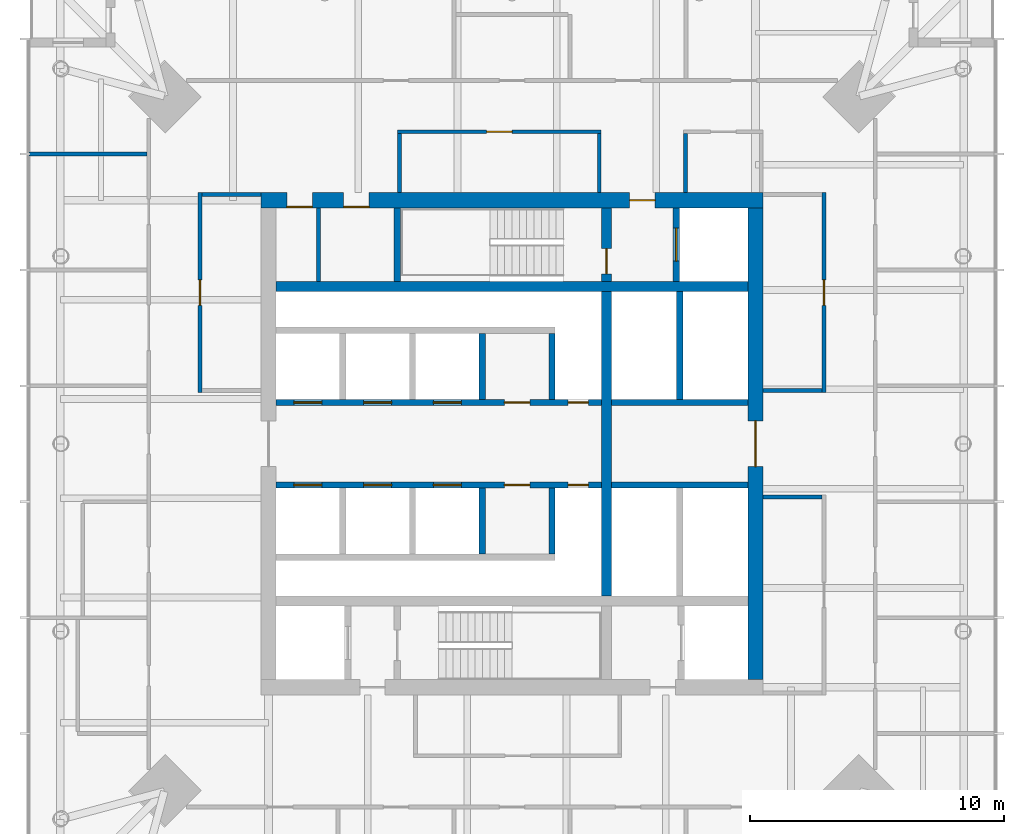
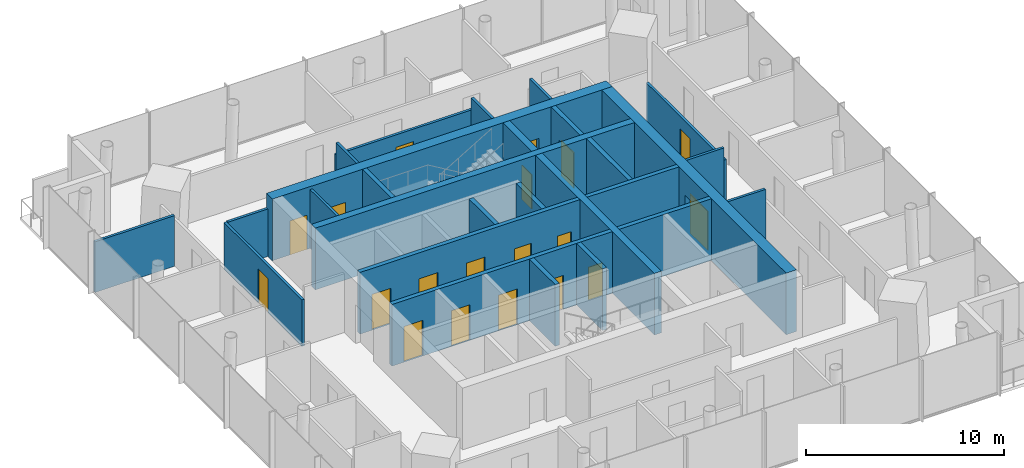
# One storey, part 5 of 7: 27 walls, 19 doors, 19 openings.
"""IFC4 building model written with IfcOpenShell, lengths in metres."""

from ifc_helpers import new_model, si_unit, direction, frame, frame_2d, origin, place, context, subcontext, project, spatial, rectangle, extrude, material, layer, layer_set, type_object, element, fill, save


model = new_model("IFC4")

# Units and contexts
model_context = context("Model", 3, precision=1e-05, world=origin(), true_north=direction((0.0, 1.0)))
body_context = subcontext(model_context, "Body", "Model", "MODEL_VIEW")
ifc_project = project(units=[si_unit("LENGTHUNIT", "METRE"), si_unit("AREAUNIT", "SQUARE_METRE"), si_unit("VOLUMEUNIT", "CUBIC_METRE"), si_unit("PLANEANGLEUNIT", "RADIAN"), si_unit("MASSUNIT", "GRAM", prefix="KILO")], contexts=[model_context])

# Site, building, storey
site_placement = place(None, origin())
site = spatial("IfcSite", under=ifc_project, at=site_placement, CompositionType="ELEMENT")
building_placement = place(site_placement, origin())
building = spatial("IfcBuilding", under=site, at=building_placement, Name="Ostroluk Exchange", CompositionType="ELEMENT")
storey_placement = place(building_placement, frame((0.0, 0.0, 214.800048828125)))
storey = spatial("IfcBuildingStorey", under=building, at=storey_placement, Name="L55", CompositionType="ELEMENT", Elevation=214.800048828125)

# Walls
ifc_material_1 = material(Name="Concrete blockwork", Category="masonry")
ifc_layer_1 = layer(ifc_material_1, 0.14990234375)
ifc_layer_set_1 = layer_set([ifc_layer_1], Name="Blockwork plant room wall 150")
wall_type_1 = type_object("IfcWallType", Name="Blockwork plant room wall 150", PredefinedType="SOLIDWALL", material=ifc_layer_set_1)
wall_1_placement = place(storey_placement, frame((37.3740234375, 52.39990234375, 0.0), z_axis=(0.0, 0.0, 1.0), x_axis=(0.0, 1.0, 0.0)))
element("IfcWall", 1, at=wall_1_placement, inside=storey, type_object=wall_type_1, Name="Core room wall", PredefinedType="SOLIDWALL", context=body_context, shape_type="SweptSolid", body=[
    extrude(rectangle(XDim=2.900146484375, YDim=0.14990234375, at=frame_2d((1.4501953125, 0.0))), origin(), (0.0, 0.0, 1.0), 3.619873046875),
])
ifc_material_2 = material(Name="Concrete C50/60", Category="concrete")
ifc_layer_2 = layer(ifc_material_2, 0.39990234375)
ifc_layer_set_2 = layer_set([ifc_layer_2], Name="Core cross wall 400 C50/60")
wall_type_2 = type_object("IfcWallType", Name="Core cross wall 400 C50/60", PredefinedType="SHEAR", material=ifc_layer_set_2)
wall_2_placement = place(storey_placement, frame((35.699951171875, 52.199951171875, 0.0), z_axis=(0.0, 0.0, 1.0), x_axis=(1.0, 0.0, 0.0)))
element("IfcWall", 2, at=wall_2_placement, inside=storey, type_object=wall_type_2, Name="T1 core wall XN", PredefinedType="SHEAR", context=body_context, shape_type="SweptSolid", body=[
    extrude(rectangle(XDim=18.60009765625, YDim=0.39990234375, at=frame_2d((9.300048828125, 0.0))), origin(), (0.0, 0.0, 1.0), 3.800048828125),
])
wall_3_placement = place(storey_placement, frame((48.72998046875, 40.0, 0.0), z_axis=(0.0, 0.0, 1.0), x_axis=(0.0, 1.0, 0.0)))
element("IfcWall", 3, at=wall_3_placement, inside=storey, type_object=wall_type_2, Name="T1 core wall YE2", PredefinedType="SHEAR", context=body_context, shape_type="SweptSolid", body=[
    extrude(rectangle(XDim=12.0, YDim=0.39990234375, at=frame_2d((6.0, 0.0))), origin(), (0.0, 0.0, 1.0), 3.800048828125),
])

# Wall, opening, door
wall_4_placement = place(storey_placement, frame((48.72998046875, 52.39990234375, 0.0), z_axis=(0.0, 0.0, 1.0), x_axis=(0.0, 1.0, 0.0)))
wall_4 = element("IfcWall", 4, at=wall_4_placement, inside=storey, type_object=wall_type_2, Name="T1 core wall YE3", PredefinedType="SHEAR", context=body_context, shape_type="SweptSolid", body=[
    extrude(rectangle(XDim=2.900146484375, YDim=0.39990234375, at=frame_2d((1.4501953125, 0.0))), origin(), (0.0, 0.0, 1.0), 3.800048828125),
])
opening_1_placement = place(wall_4_placement, frame((0.300048828125, 0.0, 0.0)))
opening_1 = element("IfcOpeningElement", 5, at=opening_1_placement, cuts=wall_4, Name="Opening FD60", PredefinedType="OPENING", context=body_context, shape_type="SweptSolid", body=[
    extrude(rectangle(XDim=1.0, YDim=2.10009765625, at=frame_2d((0.5, 1.050048828125))), frame((0.0, 0.2099609375, 0.0), z_axis=(0.0, -1.0, 0.0), x_axis=(1.0, 0.0, 0.0)), (0.0, 0.0, 1.0), 0.419921875),
])
ifc_material_3 = material(Name="Steel", Category="steel")
door_type_1 = type_object("IfcDoorType", Name="Fire door EI 60 1000 x 2100", OperationType="SINGLE_SWING_LEFT", PredefinedType="DOOR", material=ifc_material_3)
door_1_placement = place(opening_1_placement, origin())
door_1 = element("IfcDoor", 6, at=door_1_placement, inside=storey, type_object=door_type_1, Name="Stair T1-S2 door", OperationType="SINGLE_SWING_LEFT", OverallHeight=2.10009765625, OverallWidth=1.0, PredefinedType="DOOR", context=body_context, shape_type="SweptSolid", body=[
    extrude(rectangle(XDim=1.0, YDim=2.10009765625, at=frame_2d((0.5, 1.050048828125))), frame((0.0, 0.02490234375, 0.0), z_axis=(0.0, -1.0, 0.0), x_axis=(1.0, 0.0, 0.0)), (0.0, 0.0, 1.0), 0.050048828125),
])
fill(opening_1, door_1)

# Wall
ifc_material_4 = material(Name="Concrete C40/50", Category="concrete")
ifc_layer_3 = layer(ifc_material_4, 0.25)
ifc_layer_set_3 = layer_set([ifc_layer_3], Name="Core shaft wall 250")
wall_type_3 = type_object("IfcWallType", Name="Core shaft wall 250", PredefinedType="SHEAR", material=ifc_layer_set_3)
wall_5_placement = place(storey_placement, frame((40.47509765625, 52.39990234375, 0.0), z_axis=(0.0, 0.0, 1.0), x_axis=(0.0, 1.0, 0.0)))
element("IfcWall", 7, at=wall_5_placement, inside=storey, type_object=wall_type_3, Name="Stair shaft wall", PredefinedType="SHEAR", context=body_context, shape_type="SweptSolid", body=[
    extrude(rectangle(XDim=2.900146484375, YDim=0.25, at=frame_2d((1.4501953125, 0.0))), origin(), (0.0, 0.0, 1.0), 3.800048828125),
])

# Wall, opening, door
wall_6_placement = place(storey_placement, frame((51.47509765625, 52.39990234375, 0.0), z_axis=(0.0, 0.0, 1.0), x_axis=(0.0, 1.0, 0.0)))
wall_6 = element("IfcWall", 8, at=wall_6_placement, inside=storey, type_object=wall_type_3, Name="Firefighting lift shaft wall", PredefinedType="SHEAR", context=body_context, shape_type="SweptSolid", body=[
    extrude(rectangle(XDim=2.900146484375, YDim=0.25, at=frame_2d((1.4501953125, 0.0))), origin(), (0.0, 0.0, 1.0), 3.800048828125),
])
opening_2_placement = place(wall_6_placement, frame((0.800048828125, 0.0, 0.0)))
opening_2 = element("IfcOpeningElement", 9, at=opening_2_placement, cuts=wall_6, Name="Opening LD2", PredefinedType="OPENING", context=body_context, shape_type="SweptSolid", body=[
    extrude(rectangle(XDim=1.300048828125, YDim=2.199951171875, at=frame_2d((0.64990234375, 1.10009765625))), frame((0.0, 0.135009765625, 0.0), z_axis=(0.0, -1.0, 0.0), x_axis=(1.0, 0.0, 0.0)), (0.0, 0.0, 1.0), 0.27001953125),
])
ifc_material_5 = material(Name="Stainless steel", Category="steel")
door_type_2 = type_object("IfcDoorType", Name="Lift landing door E 60 1300 x 2200", OperationType="DOUBLE_DOOR_SLIDING", PredefinedType="DOOR", material=ifc_material_5)
door_2_placement = place(opening_2_placement, origin())
door_2 = element("IfcDoor", 10, at=door_2_placement, inside=storey, type_object=door_type_2, Name="Lift FL2 landing door", OperationType="DOUBLE_DOOR_SLIDING", OverallHeight=2.199951171875, OverallWidth=1.300048828125, PredefinedType="DOOR", context=body_context, shape_type="SweptSolid", body=[
    extrude(rectangle(XDim=1.300048828125, YDim=2.199951171875, at=frame_2d((0.64990234375, 1.10009765625))), frame((0.0, 0.02490234375, 0.0), z_axis=(0.0, -1.0, 0.0), x_axis=(1.0, 0.0, 0.0)), (0.0, 0.0, 1.0), 0.050048828125),
])
fill(opening_2, door_2)

# Walls
for number, where, z_axis, x_axis, name in (
    (11, (43.824951171875, 47.75, 0.0), (0.0, 0.0, 1.0), (0.0, 1.0, 0.0), "Lift shaft wall"),
    (12, (46.574951171875, 47.75, 0.0), (0.0, 0.0, 1.0), (0.0, 1.0, 0.0), "Lift shaft wall"),
):
    element("IfcWall", number, at=place(storey_placement, frame(where, z_axis=z_axis, x_axis=x_axis)), inside=storey, type_object=wall_type_3, Name=name, PredefinedType="SHEAR", context=body_context, shape_type="SweptSolid", body=[
        extrude(rectangle(XDim=2.60009765625, YDim=0.25, at=frame_2d((1.300048828125, 0.0))), origin(), (0.0, 0.0, 1.0), 3.800048828125),
    ])

# Wall, openings, doors
wall_7_placement = place(storey_placement, frame((35.699951171875, 47.625, 0.0), z_axis=(0.0, 0.0, 1.0), x_axis=(1.0, 0.0, 0.0)))
wall_7 = element("IfcWall", 13, at=wall_7_placement, inside=storey, type_object=wall_type_3, Name="Lift shaft front wall", PredefinedType="SHEAR", context=body_context, shape_type="SweptSolid", body=[
    extrude(rectangle(XDim=12.830078125, YDim=0.25, at=frame_2d((6.4150390625, 0.0))), origin(), (0.0, 0.0, 1.0), 3.800048828125),
])
opening_3_placement = place(wall_7_placement, frame((0.699951171875, 0.0, 0.0)))
opening_3 = element("IfcOpeningElement", 14, at=opening_3_placement, cuts=wall_7, Name="Opening LD", PredefinedType="OPENING", context=body_context, shape_type="SweptSolid", body=[
    extrude(rectangle(XDim=1.10009765625, YDim=2.199951171875, at=frame_2d((0.550048828125, 1.10009765625))), frame((0.0, 0.135009765625, 0.0), z_axis=(0.0, -1.0, 0.0), x_axis=(1.0, 0.0, 0.0)), (0.0, 0.0, 1.0), 0.27001953125),
])
opening_4_placement = place(wall_7_placement, frame((3.449951171875, 0.0, 0.0)))
opening_4 = element("IfcOpeningElement", 15, at=opening_4_placement, cuts=wall_7, Name="Opening LD", PredefinedType="OPENING", context=body_context, shape_type="SweptSolid", body=[
    extrude(rectangle(XDim=1.10009765625, YDim=2.199951171875, at=frame_2d((0.550048828125, 1.10009765625))), frame((0.0, 0.135009765625, 0.0), z_axis=(0.0, -1.0, 0.0), x_axis=(1.0, 0.0, 0.0)), (0.0, 0.0, 1.0), 0.27001953125),
])
opening_5_placement = place(wall_7_placement, frame((6.199951171875, 0.0, 0.0)))
opening_5 = element("IfcOpeningElement", 16, at=opening_5_placement, cuts=wall_7, Name="Opening LD", PredefinedType="OPENING", context=body_context, shape_type="SweptSolid", body=[
    extrude(rectangle(XDim=1.10009765625, YDim=2.199951171875, at=frame_2d((0.550048828125, 1.10009765625))), frame((0.0, 0.135009765625, 0.0), z_axis=(0.0, -1.0, 0.0), x_axis=(1.0, 0.0, 0.0)), (0.0, 0.0, 1.0), 0.27001953125),
])
opening_6_placement = place(wall_7_placement, frame((9.0, 0.0, 0.0)))
opening_6 = element("IfcOpeningElement", 17, at=opening_6_placement, cuts=wall_7, Name="Opening FD60", PredefinedType="OPENING", context=body_context, shape_type="SweptSolid", body=[
    extrude(rectangle(XDim=1.0, YDim=2.10009765625, at=frame_2d((0.5, 1.050048828125))), frame((0.0, 0.135009765625, 0.0), z_axis=(0.0, -1.0, 0.0), x_axis=(1.0, 0.0, 0.0)), (0.0, 0.0, 1.0), 0.27001953125),
])
opening_7_placement = place(wall_7_placement, frame((11.514892578125, 0.0, 0.0)))
opening_7 = element("IfcOpeningElement", 18, at=opening_7_placement, cuts=wall_7, Name="Opening RD60", PredefinedType="OPENING", context=body_context, shape_type="SweptSolid", body=[
    extrude(rectangle(XDim=0.800048828125, YDim=2.0, at=frame_2d((0.39990234375, 1.0))), frame((0.0, 0.135009765625, 0.0), z_axis=(0.0, -1.0, 0.0), x_axis=(1.0, 0.0, 0.0)), (0.0, 0.0, 1.0), 0.27001953125),
])
door_3_placement = place(opening_6_placement, origin())
door_3 = element("IfcDoor", 19, at=door_3_placement, inside=storey, type_object=door_type_1, Name="Core room door", OperationType="SINGLE_SWING_RIGHT", OverallHeight=2.10009765625, OverallWidth=1.0, PredefinedType="DOOR", context=body_context, shape_type="SweptSolid", body=[
    extrude(rectangle(XDim=1.0, YDim=2.10009765625, at=frame_2d((0.5, 1.050048828125))), frame((0.0, 0.02490234375, 0.0), z_axis=(0.0, -1.0, 0.0), x_axis=(1.0, 0.0, 0.0)), (0.0, 0.0, 1.0), 0.050048828125),
])
fill(opening_6, door_3)
ifc_material_6 = material(Name="Stainless steel", Category="steel")
door_type_3 = type_object("IfcDoorType", Name="Lift landing door E 60 1100 x 2200", OperationType="DOUBLE_DOOR_SLIDING", PredefinedType="DOOR", material=ifc_material_6)
door_4_placement = place(opening_3_placement, origin())
door_4 = element("IfcDoor", 20, at=door_4_placement, inside=storey, type_object=door_type_3, Name="Lift PL-H1 landing door", OperationType="DOUBLE_DOOR_SLIDING", OverallHeight=2.199951171875, OverallWidth=1.10009765625, PredefinedType="DOOR", context=body_context, shape_type="SweptSolid", body=[
    extrude(rectangle(XDim=1.10009765625, YDim=2.199951171875, at=frame_2d((0.550048828125, 1.10009765625))), frame((0.0, 0.02490234375, 0.0), z_axis=(0.0, -1.0, 0.0), x_axis=(1.0, 0.0, 0.0)), (0.0, 0.0, 1.0), 0.050048828125),
])
fill(opening_3, door_4)
door_5_placement = place(opening_4_placement, origin())
door_5 = element("IfcDoor", 21, at=door_5_placement, inside=storey, type_object=door_type_3, Name="Lift PL-H2 landing door", OperationType="DOUBLE_DOOR_SLIDING", OverallHeight=2.199951171875, OverallWidth=1.10009765625, PredefinedType="DOOR", context=body_context, shape_type="SweptSolid", body=[
    extrude(rectangle(XDim=1.10009765625, YDim=2.199951171875, at=frame_2d((0.550048828125, 1.10009765625))), frame((0.0, 0.02490234375, 0.0), z_axis=(0.0, -1.0, 0.0), x_axis=(1.0, 0.0, 0.0)), (0.0, 0.0, 1.0), 0.050048828125),
])
fill(opening_4, door_5)
door_6_placement = place(opening_5_placement, origin())
door_6 = element("IfcDoor", 22, at=door_6_placement, inside=storey, type_object=door_type_3, Name="Lift PL-H3 landing door", OperationType="DOUBLE_DOOR_SLIDING", OverallHeight=2.199951171875, OverallWidth=1.10009765625, PredefinedType="DOOR", context=body_context, shape_type="SweptSolid", body=[
    extrude(rectangle(XDim=1.10009765625, YDim=2.199951171875, at=frame_2d((0.550048828125, 1.10009765625))), frame((0.0, 0.02490234375, 0.0), z_axis=(0.0, -1.0, 0.0), x_axis=(1.0, 0.0, 0.0)), (0.0, 0.0, 1.0), 0.050048828125),
])
fill(opening_5, door_6)
ifc_material_7 = material(Name="Steel", Category="steel")
door_type_4 = type_object("IfcDoorType", Name="Riser access door EI 60 800 x 2000", OperationType="SINGLE_SWING_LEFT", PredefinedType="DOOR", material=ifc_material_7)
door_7_placement = place(opening_7_placement, origin())
door_7 = element("IfcDoor", 23, at=door_7_placement, inside=storey, type_object=door_type_4, Name="Riser access door", OperationType="SINGLE_SWING_RIGHT", OverallHeight=2.0, OverallWidth=0.800048828125, PredefinedType="DOOR", context=body_context, shape_type="SweptSolid", body=[
    extrude(rectangle(XDim=0.800048828125, YDim=2.0, at=frame_2d((0.39990234375, 1.0))), frame((0.0, 0.02490234375, 0.0), z_axis=(0.0, -1.0, 0.0), x_axis=(1.0, 0.0, 0.0)), (0.0, 0.0, 1.0), 0.050048828125),
])
fill(opening_7, door_7)

# Walls
for number, where, z_axis, x_axis, name in (
    (24, (43.824951171875, 44.25, 0.0), (0.0, 0.0, 1.0), (0.0, -1.0, 0.0), "Lift shaft wall"),
    (25, (46.574951171875, 44.25, 0.0), (0.0, 0.0, 1.0), (0.0, -1.0, 0.0), "Lift shaft wall"),
):
    element("IfcWall", number, at=place(storey_placement, frame(where, z_axis=z_axis, x_axis=x_axis)), inside=storey, type_object=wall_type_3, Name=name, PredefinedType="SHEAR", context=body_context, shape_type="SweptSolid", body=[
        extrude(rectangle(XDim=2.60009765625, YDim=0.25, at=frame_2d((1.300048828125, 0.0))), origin(), (0.0, 0.0, 1.0), 3.800048828125),
    ])

# Wall, openings, doors
wall_8_placement = place(storey_placement, frame((35.699951171875, 44.375, 0.0), z_axis=(0.0, 0.0, 1.0), x_axis=(1.0, 0.0, 0.0)))
wall_8 = element("IfcWall", 26, at=wall_8_placement, inside=storey, type_object=wall_type_3, Name="Lift shaft front wall", PredefinedType="SHEAR", context=body_context, shape_type="SweptSolid", body=[
    extrude(rectangle(XDim=12.830078125, YDim=0.25, at=frame_2d((6.4150390625, 0.0))), origin(), (0.0, 0.0, 1.0), 3.800048828125),
])
opening_8_placement = place(wall_8_placement, frame((0.699951171875, 0.0, 0.0)))
opening_8 = element("IfcOpeningElement", 27, at=opening_8_placement, cuts=wall_8, Name="Opening LD", PredefinedType="OPENING", context=body_context, shape_type="SweptSolid", body=[
    extrude(rectangle(XDim=1.10009765625, YDim=2.199951171875, at=frame_2d((0.550048828125, 1.10009765625))), frame((0.0, 0.135009765625, 0.0), z_axis=(0.0, -1.0, 0.0), x_axis=(1.0, 0.0, 0.0)), (0.0, 0.0, 1.0), 0.27001953125),
])
opening_9_placement = place(wall_8_placement, frame((3.449951171875, 0.0, 0.0)))
opening_9 = element("IfcOpeningElement", 28, at=opening_9_placement, cuts=wall_8, Name="Opening LD", PredefinedType="OPENING", context=body_context, shape_type="SweptSolid", body=[
    extrude(rectangle(XDim=1.10009765625, YDim=2.199951171875, at=frame_2d((0.550048828125, 1.10009765625))), frame((0.0, 0.135009765625, 0.0), z_axis=(0.0, -1.0, 0.0), x_axis=(1.0, 0.0, 0.0)), (0.0, 0.0, 1.0), 0.27001953125),
])
opening_10_placement = place(wall_8_placement, frame((6.199951171875, 0.0, 0.0)))
opening_10 = element("IfcOpeningElement", 29, at=opening_10_placement, cuts=wall_8, Name="Opening LD", PredefinedType="OPENING", context=body_context, shape_type="SweptSolid", body=[
    extrude(rectangle(XDim=1.10009765625, YDim=2.199951171875, at=frame_2d((0.550048828125, 1.10009765625))), frame((0.0, 0.135009765625, 0.0), z_axis=(0.0, -1.0, 0.0), x_axis=(1.0, 0.0, 0.0)), (0.0, 0.0, 1.0), 0.27001953125),
])
opening_11_placement = place(wall_8_placement, frame((9.0, 0.0, 0.0)))
opening_11 = element("IfcOpeningElement", 30, at=opening_11_placement, cuts=wall_8, Name="Opening FD60", PredefinedType="OPENING", context=body_context, shape_type="SweptSolid", body=[
    extrude(rectangle(XDim=1.0, YDim=2.10009765625, at=frame_2d((0.5, 1.050048828125))), frame((0.0, 0.135009765625, 0.0), z_axis=(0.0, -1.0, 0.0), x_axis=(1.0, 0.0, 0.0)), (0.0, 0.0, 1.0), 0.27001953125),
])
opening_12_placement = place(wall_8_placement, frame((11.514892578125, 0.0, 0.0)))
opening_12 = element("IfcOpeningElement", 31, at=opening_12_placement, cuts=wall_8, Name="Opening RD60", PredefinedType="OPENING", context=body_context, shape_type="SweptSolid", body=[
    extrude(rectangle(XDim=0.800048828125, YDim=2.0, at=frame_2d((0.39990234375, 1.0))), frame((0.0, 0.135009765625, 0.0), z_axis=(0.0, -1.0, 0.0), x_axis=(1.0, 0.0, 0.0)), (0.0, 0.0, 1.0), 0.27001953125),
])
door_8_placement = place(opening_11_placement, origin())
door_8 = element("IfcDoor", 32, at=door_8_placement, inside=storey, type_object=door_type_1, Name="Core room door", OperationType="SINGLE_SWING_RIGHT", OverallHeight=2.10009765625, OverallWidth=1.0, PredefinedType="DOOR", context=body_context, shape_type="SweptSolid", body=[
    extrude(rectangle(XDim=1.0, YDim=2.10009765625, at=frame_2d((0.5, 1.050048828125))), frame((0.0, 0.02490234375, 0.0), z_axis=(0.0, -1.0, 0.0), x_axis=(1.0, 0.0, 0.0)), (0.0, 0.0, 1.0), 0.050048828125),
])
fill(opening_11, door_8)
door_9_placement = place(opening_8_placement, origin())
door_9 = element("IfcDoor", 33, at=door_9_placement, inside=storey, type_object=door_type_3, Name="Lift PL-H4 landing door", OperationType="DOUBLE_DOOR_SLIDING", OverallHeight=2.199951171875, OverallWidth=1.10009765625, PredefinedType="DOOR", context=body_context, shape_type="SweptSolid", body=[
    extrude(rectangle(XDim=1.10009765625, YDim=2.199951171875, at=frame_2d((0.550048828125, 1.10009765625))), frame((0.0, 0.02490234375, 0.0), z_axis=(0.0, -1.0, 0.0), x_axis=(1.0, 0.0, 0.0)), (0.0, 0.0, 1.0), 0.050048828125),
])
fill(opening_8, door_9)
door_10_placement = place(opening_9_placement, origin())
door_10 = element("IfcDoor", 34, at=door_10_placement, inside=storey, type_object=door_type_3, Name="Lift PL-H5 landing door", OperationType="DOUBLE_DOOR_SLIDING", OverallHeight=2.199951171875, OverallWidth=1.10009765625, PredefinedType="DOOR", context=body_context, shape_type="SweptSolid", body=[
    extrude(rectangle(XDim=1.10009765625, YDim=2.199951171875, at=frame_2d((0.550048828125, 1.10009765625))), frame((0.0, 0.02490234375, 0.0), z_axis=(0.0, -1.0, 0.0), x_axis=(1.0, 0.0, 0.0)), (0.0, 0.0, 1.0), 0.050048828125),
])
fill(opening_9, door_10)
door_11_placement = place(opening_10_placement, origin())
door_11 = element("IfcDoor", 35, at=door_11_placement, inside=storey, type_object=door_type_3, Name="Lift PL-H6 landing door", OperationType="DOUBLE_DOOR_SLIDING", OverallHeight=2.199951171875, OverallWidth=1.10009765625, PredefinedType="DOOR", context=body_context, shape_type="SweptSolid", body=[
    extrude(rectangle(XDim=1.10009765625, YDim=2.199951171875, at=frame_2d((0.550048828125, 1.10009765625))), frame((0.0, 0.02490234375, 0.0), z_axis=(0.0, -1.0, 0.0), x_axis=(1.0, 0.0, 0.0)), (0.0, 0.0, 1.0), 0.050048828125),
])
fill(opening_10, door_11)
door_12_placement = place(opening_12_placement, origin())
door_12 = element("IfcDoor", 36, at=door_12_placement, inside=storey, type_object=door_type_4, Name="Riser access door", OperationType="SINGLE_SWING_RIGHT", OverallHeight=2.0, OverallWidth=0.800048828125, PredefinedType="DOOR", context=body_context, shape_type="SweptSolid", body=[
    extrude(rectangle(XDim=0.800048828125, YDim=2.0, at=frame_2d((0.39990234375, 1.0))), frame((0.0, 0.02490234375, 0.0), z_axis=(0.0, -1.0, 0.0), x_axis=(1.0, 0.0, 0.0)), (0.0, 0.0, 1.0), 0.050048828125),
])
fill(opening_12, door_12)

# Walls
wall_9_placement = place(storey_placement, frame((51.614990234375, 47.75, 0.0), z_axis=(0.0, 0.0, 1.0), x_axis=(0.0, 1.0, 0.0)))
element("IfcWall", 37, at=wall_9_placement, inside=storey, type_object=wall_type_3, Name="Lift shaft wall", PredefinedType="SHEAR", context=body_context, shape_type="SweptSolid", body=[
    extrude(rectangle(XDim=4.25, YDim=0.25, at=frame_2d((2.125, 0.0))), origin(), (0.0, 0.0, 1.0), 3.800048828125),
])
for number, where, z_axis, x_axis, name in (
    (38, (48.929931640625, 47.625, 0.0), (0.0, 0.0, 1.0), (1.0, 0.0, 0.0), "Lift shaft front wall"),
    (39, (48.929931640625, 44.375, 0.0), (0.0, 0.0, 1.0), (1.0, 0.0, 0.0), "Lift shaft front wall"),
):
    element("IfcWall", number, at=place(storey_placement, frame(where, z_axis=z_axis, x_axis=x_axis)), inside=storey, type_object=wall_type_3, Name=name, PredefinedType="SHEAR", context=body_context, shape_type="SweptSolid", body=[
        extrude(rectangle(XDim=5.3701171875, YDim=0.25, at=frame_2d((2.68505859375, 0.0))), origin(), (0.0, 0.0, 1.0), 3.800048828125),
    ])

# Wall, openings, doors
ifc_material_8 = material(Name="Concrete C50/60", Category="concrete")
ifc_layer_4 = layer(ifc_material_8, 0.60009765625)
ifc_layer_set_4 = layer_set([ifc_layer_4], Name="Core wall 600 C50/60")
wall_type_4 = type_object("IfcWallType", Name="Core wall 600 C50/60", PredefinedType="SHEAR", material=ifc_layer_set_4)
wall_10_placement = place(storey_placement, frame((35.10009765625, 55.60009765625, 0.0), z_axis=(0.0, 0.0, 1.0), x_axis=(1.0, 0.0, 0.0)))
wall_10 = element("IfcWall", 40, at=wall_10_placement, inside=storey, type_object=wall_type_4, Name="T1 core wall N", PredefinedType="SHEAR", context=body_context, shape_type="SweptSolid", body=[
    extrude(rectangle(XDim=19.7998046875, YDim=0.60009765625, at=frame_2d((9.89990234375, 0.0))), origin(), (0.0, 0.0, 1.0), 3.800048828125),
])
opening_13_placement = place(wall_10_placement, frame((14.5400390625, 0.0, 0.0)))
opening_13 = element("IfcOpeningElement", 41, at=opening_13_placement, cuts=wall_10, Name="Opening FD60", PredefinedType="OPENING", context=body_context, shape_type="SweptSolid", body=[
    extrude(rectangle(XDim=1.0, YDim=2.10009765625, at=frame_2d((0.5, 1.050048828125))), frame((0.0, 0.31005859375, 0.0), z_axis=(0.0, -1.0, 0.0), x_axis=(1.0, 0.0, 0.0)), (0.0, 0.0, 1.0), 0.6201171875),
])
opening_14_placement = place(wall_10_placement, frame((1.02392578125, 0.0, 0.0)))
opening_14 = element("IfcOpeningElement", 42, at=opening_14_placement, cuts=wall_10, Name="Opening FD60", PredefinedType="OPENING", context=body_context, shape_type="SweptSolid", body=[
    extrude(rectangle(XDim=1.0, YDim=2.10009765625, at=frame_2d((0.5, 1.050048828125))), frame((0.0, 0.31005859375, 0.0), z_axis=(0.0, -1.0, 0.0), x_axis=(1.0, 0.0, 0.0)), (0.0, 0.0, 1.0), 0.6201171875),
])
opening_15_placement = place(wall_10_placement, frame((3.261962890625, 0.0, 0.0)))
opening_15 = element("IfcOpeningElement", 43, at=opening_15_placement, cuts=wall_10, Name="Opening FD60", PredefinedType="OPENING", context=body_context, shape_type="SweptSolid", body=[
    extrude(rectangle(XDim=1.0, YDim=2.10009765625, at=frame_2d((0.5, 1.050048828125))), frame((0.0, 0.31005859375, 0.0), z_axis=(0.0, -1.0, 0.0), x_axis=(1.0, 0.0, 0.0)), (0.0, 0.0, 1.0), 0.6201171875),
])
door_13_placement = place(opening_13_placement, origin())
door_13 = element("IfcDoor", 44, at=door_13_placement, inside=storey, type_object=door_type_1, Name="Firefighting lobby door", OperationType="SINGLE_SWING_RIGHT", OverallHeight=2.10009765625, OverallWidth=1.0, PredefinedType="DOOR", context=body_context, shape_type="SweptSolid", body=[
    extrude(rectangle(XDim=1.0, YDim=2.10009765625, at=frame_2d((0.5, 1.050048828125))), frame((0.0, 0.02490234375, 0.0), z_axis=(0.0, -1.0, 0.0), x_axis=(1.0, 0.0, 0.0)), (0.0, 0.0, 1.0), 0.050048828125),
])
fill(opening_13, door_13)
door_14_placement = place(opening_14_placement, origin())
door_14 = element("IfcDoor", 45, at=door_14_placement, inside=storey, type_object=door_type_1, Name="Store door", OperationType="SINGLE_SWING_LEFT", OverallHeight=2.10009765625, OverallWidth=1.0, PredefinedType="DOOR", context=body_context, shape_type="SweptSolid", body=[
    extrude(rectangle(XDim=1.0, YDim=2.10009765625, at=frame_2d((0.5, 1.050048828125))), frame((0.0, -0.23974609375, 0.0), z_axis=(0.0, -1.0, 0.0), x_axis=(1.0, 0.0, 0.0)), (0.0, 0.0, 1.0), 0.050048828125),
])
fill(opening_14, door_14)
door_15_placement = place(opening_15_placement, origin())
door_15 = element("IfcDoor", 46, at=door_15_placement, inside=storey, type_object=door_type_1, Name="Print and post room door", OperationType="SINGLE_SWING_LEFT", OverallHeight=2.10009765625, OverallWidth=1.0, PredefinedType="DOOR", context=body_context, shape_type="SweptSolid", body=[
    extrude(rectangle(XDim=1.0, YDim=2.10009765625, at=frame_2d((0.5, 1.050048828125))), frame((0.0, -0.23974609375, 0.0), z_axis=(0.0, -1.0, 0.0), x_axis=(1.0, 0.0, 0.0)), (0.0, 0.0, 1.0), 0.050048828125),
])
fill(opening_15, door_15)

# Wall, opening, door
wall_11_placement = place(storey_placement, frame((54.60009765625, 36.699951171875, 0.0), z_axis=(0.0, 0.0, 1.0), x_axis=(0.0, 1.0, 0.0)))
wall_11 = element("IfcWall", 47, at=wall_11_placement, inside=storey, type_object=wall_type_4, Name="T1 core wall E", PredefinedType="SHEAR", context=body_context, shape_type="SweptSolid", body=[
    extrude(rectangle(XDim=18.60009765625, YDim=0.60009765625, at=frame_2d((9.300048828125, 0.0))), origin(), (0.0, 0.0, 1.0), 3.800048828125),
])
opening_16_placement = place(wall_11_placement, frame((8.39990234375, 0.0, 0.0)))
opening_16 = element("IfcOpeningElement", 48, at=opening_16_placement, cuts=wall_11, Name="Opening FD30D", PredefinedType="OPENING", context=body_context, shape_type="SweptSolid", body=[
    extrude(rectangle(XDim=1.800048828125, YDim=2.39990234375, at=frame_2d((0.89990234375, 1.199951171875))), frame((0.0, 0.31005859375, 0.0), z_axis=(0.0, -1.0, 0.0), x_axis=(1.0, 0.0, 0.0)), (0.0, 0.0, 1.0), 0.6201171875),
])
ifc_material_9 = material(Name="Timber", Category="wood")
door_type_5 = type_object("IfcDoorType", Name="Lobby double door EI 30 1800 x 2400", OperationType="DOUBLE_DOOR_SINGLE_SWING", PredefinedType="DOOR", material=ifc_material_9)
door_16_placement = place(opening_16_placement, origin())
door_16 = element("IfcDoor", 49, at=door_16_placement, inside=storey, type_object=door_type_5, Name="Lift lobby doors", OperationType="DOUBLE_DOOR_SINGLE_SWING", OverallHeight=2.39990234375, OverallWidth=1.800048828125, PredefinedType="DOOR", context=body_context, shape_type="SweptSolid", body=[
    extrude(rectangle(XDim=1.800048828125, YDim=2.39990234375, at=frame_2d((0.89990234375, 1.199951171875))), frame((0.0, 0.02490234375, 0.0), z_axis=(0.0, -1.0, 0.0), x_axis=(1.0, 0.0, 0.0)), (0.0, 0.0, 1.0), 0.050048828125),
])
fill(opening_16, door_16)

# Wall
ifc_material_10 = material(Name="Gypsum plasterboard partition", Category="gypsum")
ifc_layer_5 = layer(ifc_material_10, 0.14990234375)
ifc_layer_set_5 = layer_set([ifc_layer_5], Name="Plasterboard partition 150")
wall_type_5 = type_object("IfcWallType", Name="Plasterboard partition 150", PredefinedType="PARTITIONING", material=ifc_layer_set_5)
wall_12_placement = place(storey_placement, frame((54.89990234375, 43.89990234375, 0.0), z_axis=(0.0, 0.0, 1.0), x_axis=(1.0, 0.0, 0.0)))
element("IfcWall", 50, at=wall_12_placement, inside=storey, type_object=wall_type_5, Name="Partition", PredefinedType="PARTITIONING", context=body_context, shape_type="SweptSolid", body=[
    extrude(rectangle(XDim=2.3251953125, YDim=0.14990234375, at=frame_2d((1.16259765625, 0.0))), origin(), (0.0, 0.0, 1.0), 3.619873046875),
])

# Wall, opening, door
wall_13_placement = place(storey_placement, frame((57.300048828125, 48.02490234375, 0.0), z_axis=(0.0, 0.0, 1.0), x_axis=(0.0, 1.0, 0.0)))
wall_13 = element("IfcWall", 51, at=wall_13_placement, inside=storey, type_object=wall_type_5, Name="Partition", PredefinedType="PARTITIONING", context=body_context, shape_type="SweptSolid", body=[
    extrude(rectangle(XDim=7.875, YDim=0.14990234375, at=frame_2d((3.9375, 0.0))), origin(), (0.0, 0.0, 1.0), 2.866943359375),
])
opening_17_placement = place(wall_13_placement, frame((3.4375, 0.0, 0.0)))
opening_17 = element("IfcOpeningElement", 52, at=opening_17_placement, cuts=wall_13, Name="Opening D-03", PredefinedType="OPENING", context=body_context, shape_type="SweptSolid", body=[
    extrude(rectangle(XDim=1.0, YDim=2.10009765625, at=frame_2d((0.5, 1.050048828125))), frame((0.0, 0.0849609375, 0.0), z_axis=(0.0, -1.0, 0.0), x_axis=(1.0, 0.0, 0.0)), (0.0, 0.0, 1.0), 0.169921875),
])
ifc_material_11 = material(Name="Timber", Category="wood")
door_type_6 = type_object("IfcDoorType", Name="Internal door 1000 x 2100", OperationType="SINGLE_SWING_LEFT", PredefinedType="DOOR", material=ifc_material_11)
door_17_placement = place(opening_17_placement, origin())
door_17 = element("IfcDoor", 53, at=door_17_placement, inside=storey, type_object=door_type_6, Name="Quiet room door", OperationType="SINGLE_SWING_LEFT", OverallHeight=2.10009765625, OverallWidth=1.0, PredefinedType="DOOR", context=body_context, shape_type="SweptSolid", body=[
    extrude(rectangle(XDim=1.0, YDim=2.10009765625, at=frame_2d((0.5, 1.050048828125))), frame((0.0, 0.02490234375, 0.0), z_axis=(0.0, -1.0, 0.0), x_axis=(1.0, 0.0, 0.0)), (0.0, 0.0, 1.0), 0.050048828125),
])
fill(opening_17, door_17)

# Walls
for number, where, z_axis, x_axis, name in (
    (54, (54.89990234375, 48.10009765625, 0.0), (0.0, 0.0, 1.0), (1.0, 0.0, 0.0), "Partition"),
    (55, (51.840087890625, 55.89990234375, 0.0), (0.0, 0.0, 1.0), (0.0, 1.0, 0.0), "Partition"),
):
    element("IfcWall", number, at=place(storey_placement, frame(where, z_axis=z_axis, x_axis=x_axis)), inside=storey, type_object=wall_type_5, Name=name, PredefinedType="PARTITIONING", context=body_context, shape_type="SweptSolid", body=[
        extrude(rectangle(XDim=2.3251953125, YDim=0.14990234375, at=frame_2d((1.16259765625, 0.0))), origin(), (0.0, 0.0, 1.0), 3.619873046875),
    ])

# Wall, opening, door
wall_14_placement = place(storey_placement, frame((48.514892578125, 58.300048828125, 0.0), z_axis=(0.0, 0.0, 1.0), x_axis=(-1.0, 0.0, 0.0)))
wall_14 = element("IfcWall", 56, at=wall_14_placement, inside=storey, type_object=wall_type_5, Name="Partition", PredefinedType="PARTITIONING", context=body_context, shape_type="SweptSolid", body=[
    extrude(rectangle(XDim=8.02783203125, YDim=0.14990234375, at=frame_2d((4.013916015625, 0.0))), origin(), (0.0, 0.0, 1.0), 2.866943359375),
])
opening_18_placement = place(wall_14_placement, frame((3.513916015625, 0.0, 0.0)))
opening_18 = element("IfcOpeningElement", 57, at=opening_18_placement, cuts=wall_14, Name="Opening D-03", PredefinedType="OPENING", context=body_context, shape_type="SweptSolid", body=[
    extrude(rectangle(XDim=1.0, YDim=2.10009765625, at=frame_2d((0.5, 1.050048828125))), frame((0.0, 0.0849609375, 0.0), z_axis=(0.0, -1.0, 0.0), x_axis=(1.0, 0.0, 0.0)), (0.0, 0.0, 1.0), 0.169921875),
])
door_18_placement = place(opening_18_placement, origin())
door_18 = element("IfcDoor", 58, at=door_18_placement, inside=storey, type_object=door_type_6, Name="Quiet room door", OperationType="SINGLE_SWING_RIGHT", OverallHeight=2.10009765625, OverallWidth=1.0, PredefinedType="DOOR", context=body_context, shape_type="SweptSolid", body=[
    extrude(rectangle(XDim=1.0, YDim=2.10009765625, at=frame_2d((0.5, 1.050048828125))), frame((0.0, 0.02490234375, 0.0), z_axis=(0.0, -1.0, 0.0), x_axis=(1.0, 0.0, 0.0)), (0.0, 0.0, 1.0), 0.050048828125),
])
fill(opening_18, door_18)

# Walls
for number, where, z_axis, x_axis, name in (
    (59, (48.43994140625, 55.89990234375, 0.0), (0.0, 0.0, 1.0), (0.0, 1.0, 0.0), "Partition"),
    (60, (40.56201171875, 55.89990234375, 0.0), (0.0, 0.0, 1.0), (0.0, 1.0, 0.0), "Partition"),
):
    element("IfcWall", number, at=place(storey_placement, frame(where, z_axis=z_axis, x_axis=x_axis)), inside=storey, type_object=wall_type_5, Name=name, PredefinedType="PARTITIONING", context=body_context, shape_type="SweptSolid", body=[
        extrude(rectangle(XDim=2.3251953125, YDim=0.14990234375, at=frame_2d((1.16259765625, 0.0))), origin(), (0.0, 0.0, 1.0), 3.619873046875),
    ])

# Wall, opening, door
wall_15_placement = place(storey_placement, frame((32.699951171875, 55.89990234375, 0.0), z_axis=(0.0, 0.0, 1.0), x_axis=(0.0, -1.0, 0.0)))
wall_15 = element("IfcWall", 61, at=wall_15_placement, inside=storey, type_object=wall_type_5, Name="Partition", PredefinedType="PARTITIONING", context=body_context, shape_type="SweptSolid", body=[
    extrude(rectangle(XDim=7.875, YDim=0.14990234375, at=frame_2d((3.9375, 0.0))), origin(), (0.0, 0.0, 1.0), 2.866943359375),
])
opening_19_placement = place(wall_15_placement, frame((3.4375, 0.0, 0.0)))
opening_19 = element("IfcOpeningElement", 62, at=opening_19_placement, cuts=wall_15, Name="Opening D-03", PredefinedType="OPENING", context=body_context, shape_type="SweptSolid", body=[
    extrude(rectangle(XDim=1.0, YDim=2.10009765625, at=frame_2d((0.5, 1.050048828125))), frame((0.0, 0.0849609375, 0.0), z_axis=(0.0, -1.0, 0.0), x_axis=(1.0, 0.0, 0.0)), (0.0, 0.0, 1.0), 0.169921875),
])
door_19_placement = place(opening_19_placement, origin())
door_19 = element("IfcDoor", 63, at=door_19_placement, inside=storey, type_object=door_type_6, Name="Quiet room door", OperationType="SINGLE_SWING_LEFT", OverallHeight=2.10009765625, OverallWidth=1.0, PredefinedType="DOOR", context=body_context, shape_type="SweptSolid", body=[
    extrude(rectangle(XDim=1.0, YDim=2.10009765625, at=frame_2d((0.5, 1.050048828125))), frame((0.0, 0.02490234375, 0.0), z_axis=(0.0, -1.0, 0.0), x_axis=(1.0, 0.0, 0.0)), (0.0, 0.0, 1.0), 0.050048828125),
])
fill(opening_19, door_19)

# Walls
wall_16_placement = place(storey_placement, frame((35.10009765625, 55.824951171875, 0.0), z_axis=(0.0, 0.0, 1.0), x_axis=(-1.0, 0.0, 0.0)))
element("IfcWall", 64, at=wall_16_placement, inside=storey, type_object=wall_type_5, Name="Partition", PredefinedType="PARTITIONING", context=body_context, shape_type="SweptSolid", body=[
    extrude(rectangle(XDim=2.3251953125, YDim=0.14990234375, at=frame_2d((1.16259765625, 0.0))), origin(), (0.0, 0.0, 1.0), 2.919921875),
])
wall_17_placement = place(storey_placement, frame((30.60009765625, 57.428466796875, 0.0), z_axis=(0.0, 0.0, 1.0), x_axis=(-1.0, 0.0, 0.0)))
element("IfcWall", 65, at=wall_17_placement, inside=storey, type_object=wall_type_5, Name="Partition", PredefinedType="PARTITIONING", context=body_context, shape_type="SweptSolid", body=[
    extrude(rectangle(XDim=4.64013671875, YDim=0.14990234375, at=frame_2d((2.320068359375, 0.0))), origin(), (0.0, 0.0, 1.0), 3.119873046875),
])

save(model, "model.ifc")
